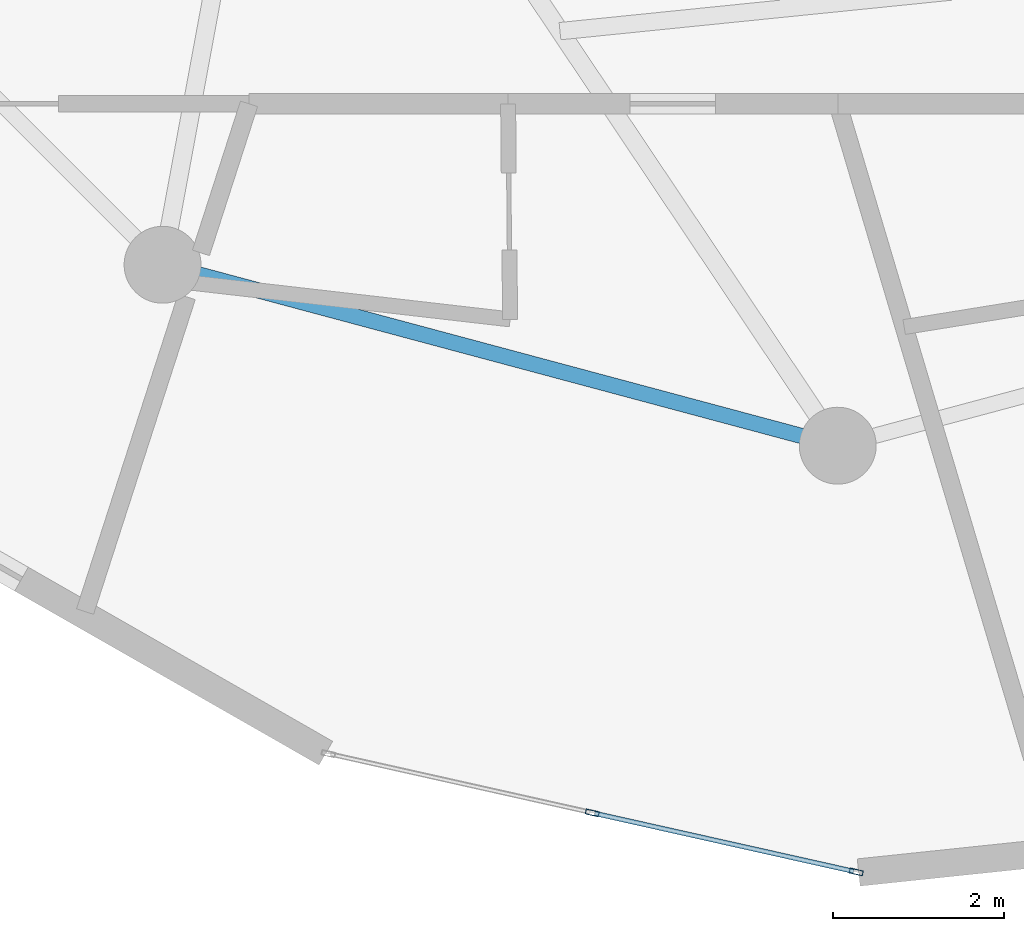
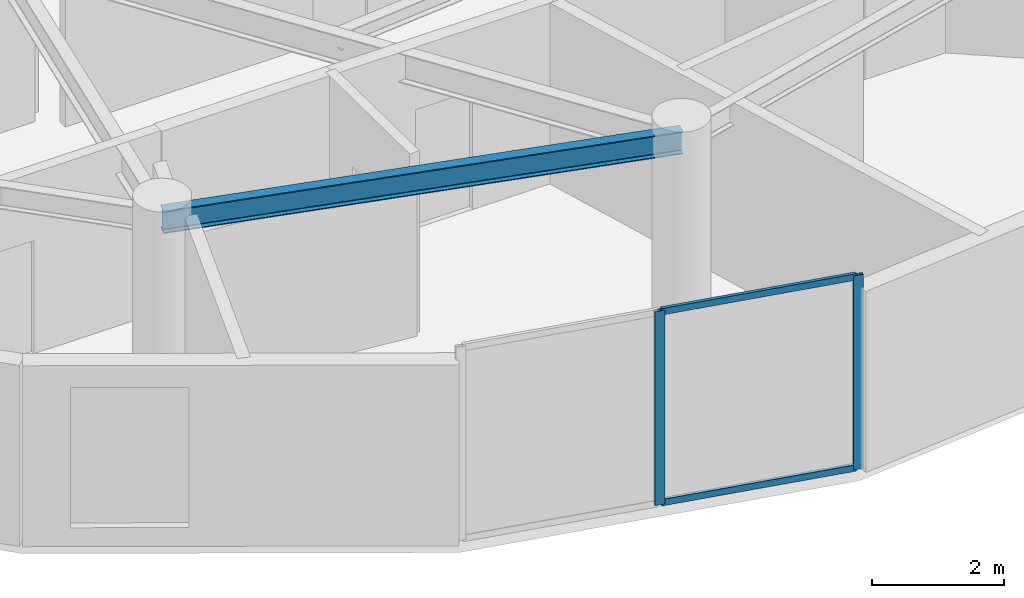
# One storey, part 5 of 23: 4 members, 1 beam, 1 element without a shape of its own.
"""IFC4 building model written with IfcOpenShell, lengths in metres."""

from ifc_helpers import new_model, si_unit, direction, frame, origin, origin_2d, place, context, subcontext, project, spatial, hollow_rectangle, i_section, extrude, source, transform, mapped, material, layer, layer_set, material_profile, profile_set, type_object, element, aggregate, save


model = new_model("IFC4")

# Units and contexts
model_context = context("Model", 3, precision=1e-05, world=origin(), true_north=direction((0.0, 1.0)))
body_context = subcontext(model_context, "Body", "Model", "MODEL_VIEW")
ifc_project = project(units=[si_unit("LENGTHUNIT", "METRE"), si_unit("AREAUNIT", "SQUARE_METRE"), si_unit("VOLUMEUNIT", "CUBIC_METRE"), si_unit("PLANEANGLEUNIT", "RADIAN"), si_unit("MASSUNIT", "GRAM", prefix="KILO")], contexts=[model_context])

# Site, building, storey
site_placement = place(None, origin())
site = spatial("IfcSite", under=ifc_project, at=site_placement, CompositionType="ELEMENT")
building_placement = place(site_placement, origin())
building = spatial("IfcBuilding", under=site, at=building_placement, Name="Solvirekh Grand Hotel", CompositionType="ELEMENT")
storey_placement = place(building_placement, frame((0.0, 0.0, 180.39990234375)))
storey = spatial("IfcBuildingStorey", under=building, at=storey_placement, Name="L46", CompositionType="ELEMENT", Elevation=180.39990234375)

# Beam
ifc_material_1 = material(Name="Steel S355", Category="steel")
ifc_material_profile_1 = material_profile(ifc_material_1, i_section(OverallWidth=0.180908203125, OverallDepth=0.4169921875, WebThickness=0.010009765625, FlangeThickness=0.01611328125, FilletRadius=0.011962890625, at=origin_2d()), Name="W410X85")
ifc_profile_set_1 = profile_set([ifc_material_profile_1], Name="Steel S355")
beam_type = type_object("IfcBeamType", Name="Spandrel_Ring_W410", PredefinedType="SPANDREL", material=ifc_profile_set_1)
beam_placement = place(storey_placement, frame((-7.89990234375, -13.68310546875, 3.152099609375), z_axis=(0.965920601923, -0.258838541915, 0.0), x_axis=(0.258838541915, 0.965920601923, 0.0)))
element("IfcBeam", 1, at=beam_placement, inside=storey, type_object=beam_type, Name="L46 perimeter spandrel beam 9", PredefinedType="SPANDREL", context=body_context, shape_type="SweptSolid", body=[
    extrude(i_section(OverallWidth=0.180908203125, OverallDepth=0.4169921875, WebThickness=0.010009765625, FlangeThickness=0.01611328125, FilletRadius=0.011962890625, at=origin_2d()), origin(), (0.0, 0.0, 1.0), 8.1787109375),
])

# Curtain wall, members
ifc_material_2 = material(Name="Anodized Bronze Aluminium 6063-T6", Category="aluminium")
ifc_layer = layer(ifc_material_2, 0.159912109375)
ifc_layer_set = layer_set([ifc_layer], Name="Anodized Bronze Aluminium 6063-T6")
curtain_wall_type = type_object("IfcCurtainWallType", Name="CW_Sys4_HighZoneFlushBronzeCW", PredefinedType="NOTDEFINED", material=ifc_layer_set)
curtain_wall_placement = place(storey_placement, origin())
curtain_wall = element("IfcCurtainWall", 2, at=curtain_wall_placement, inside=storey, type_object=curtain_wall_type, Name="L46 unitised bronze-glass curtain wall CW-L46-C18", PredefinedType="NOTDEFINED")
ifc_material_profile_2 = material_profile(ifc_material_2, hollow_rectangle(XDim=0.06005859375, YDim=0.159912109375, WallThickness=0.0048828125, at=origin_2d()), Name="ALU RHS 160X60X5")
ifc_profile_set_2 = profile_set([ifc_material_profile_2], Name="Anodized Bronze Aluminium 6063-T6")
member_type_1 = type_object("IfcMemberType", Name="CWMullion_Sys4", PredefinedType="MULLION", material=ifc_profile_set_2)
shared_shape_1 = source(origin(), body_context, "Body", "SweptSolid", [
    extrude(hollow_rectangle(XDim=0.06005859375, YDim=0.159912109375, WallThickness=0.0048828125, at=origin_2d()), origin(), (0.0, 0.0, 1.0), 3.60009765625),
])
member_1_placement = place(storey_placement, frame((-2.87255859375, -20.095947265625, 0.0), z_axis=(0.0, 0.0, 1.0), x_axis=(0.218487916144, 0.975839654092, 0.0)))
member_1 = element("IfcMember", 3, at=member_1_placement, type_object=member_type_1, Name="U04 mullion 2", PredefinedType="MULLION", context=body_context, shape_type="MappedRepresentation", body=[
    mapped(shared_shape_1, transform((0.0, 0.0, 0.0), x_axis=(1.0, 0.0, 0.0), y_axis=(0.0, 1.0, 0.0), z_axis=(0.0, 0.0, 1.0), scale=1.0)),
])
member_2_placement = place(storey_placement, frame((0.2158203125, -20.787353515625, 0.0), z_axis=(0.0, 0.0, 1.0), x_axis=(0.218487916144, 0.975839654092, 0.0)))
member_2 = element("IfcMember", 4, at=member_2_placement, type_object=member_type_1, Name="U04 mullion 3", PredefinedType="MULLION", context=body_context, shape_type="MappedRepresentation", body=[
    mapped(shared_shape_1, transform((0.0, 0.0, 0.0), x_axis=(1.0, 0.0, 0.0), y_axis=(0.0, 1.0, 0.0), z_axis=(0.0, 0.0, 1.0), scale=1.0)),
])
ifc_material_profile_3 = material_profile(ifc_material_2, hollow_rectangle(XDim=0.054931640625, YDim=0.1201171875, WallThickness=0.00390625, at=origin_2d()), Name="ALU RHS 120X55X4")
ifc_profile_set_3 = profile_set([ifc_material_profile_3], Name="Anodized Bronze Aluminium 6063-T6")
member_type_2 = type_object("IfcMemberType", Name="CWTransom_Sys4", PredefinedType="USERDEFINED", material=ifc_profile_set_3)
shared_shape_2 = source(origin(), body_context, "Body", "SweptSolid", [
    extrude(hollow_rectangle(XDim=0.054931640625, YDim=0.1201171875, WallThickness=0.00390625, at=origin_2d()), origin(), (0.0, 0.0, 1.0), 3.104736328125),
])
member_3_placement = place(storey_placement, frame((-2.84326171875, -20.1025390625, 0.027587890625), z_axis=(0.975832380108, -0.218520401638, 0.0), x_axis=(0.218520401638, 0.975832380108, 0.0)))
member_3 = element("IfcMember", 5, at=member_3_placement, type_object=member_type_2, Name="U04 transom 2.1", ObjectType="TRANSOM", PredefinedType="USERDEFINED", context=body_context, shape_type="MappedRepresentation", body=[
    mapped(shared_shape_2, transform((0.0, 0.0, 0.0), x_axis=(1.0, 0.0, 0.0), y_axis=(0.0, 1.0, 0.0), z_axis=(0.0, 0.0, 1.0), scale=1.0)),
])
member_4_placement = place(storey_placement, frame((-2.84326171875, -20.1025390625, 3.572509765625), z_axis=(0.975832380108, -0.218520401638, 0.0), x_axis=(0.218520401638, 0.975832380108, 0.0)))
member_4 = element("IfcMember", 6, at=member_4_placement, type_object=member_type_2, Name="U04 transom 2.2", ObjectType="TRANSOM", PredefinedType="USERDEFINED", context=body_context, shape_type="MappedRepresentation", body=[
    mapped(shared_shape_2, transform((0.0, 0.0, 0.0), x_axis=(1.0, 0.0, 0.0), y_axis=(0.0, 1.0, 0.0), z_axis=(0.0, 0.0, 1.0), scale=1.0)),
])
aggregate(curtain_wall, [member_1, member_2, member_3, member_4])

save(model, "model.ifc")
